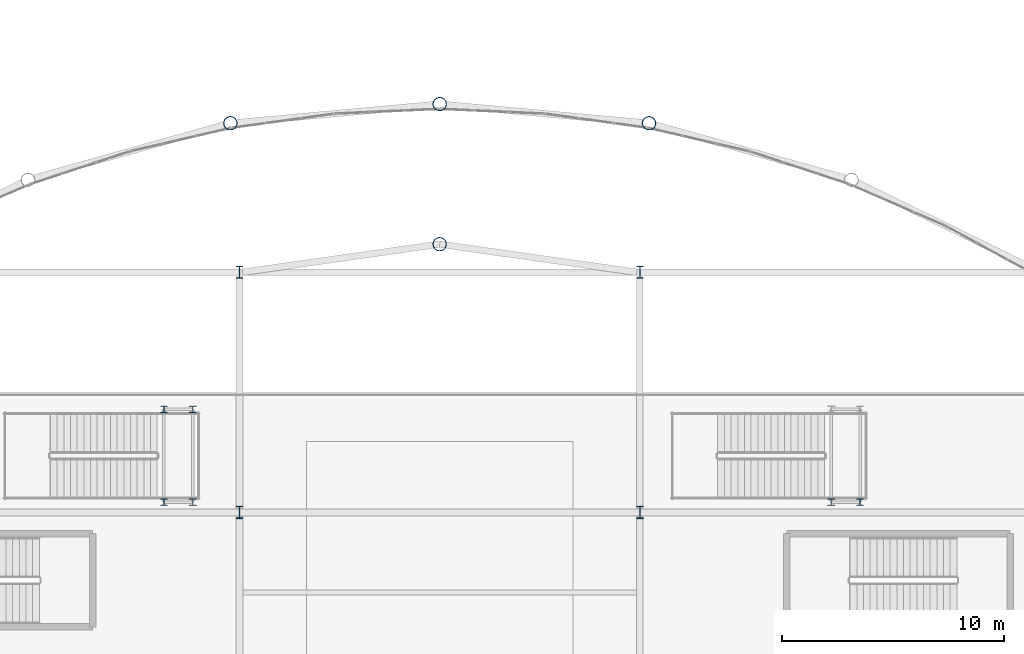
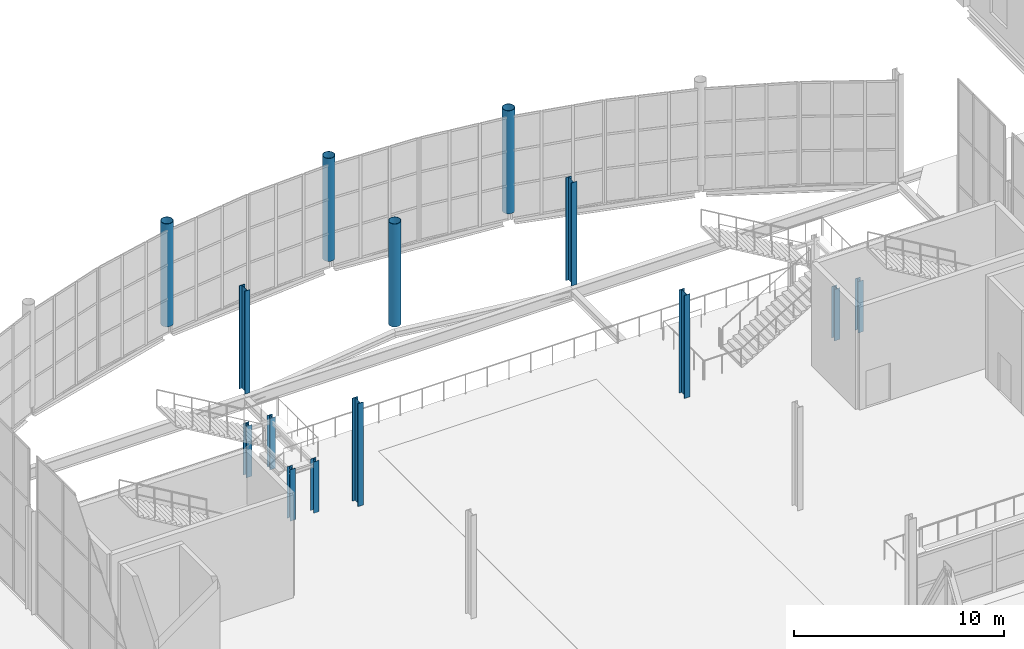
# One storey, part 12 of 191: 14 columns.
"""IFC4 building model written with IfcOpenShell, lengths in metres."""

import ifcopenshell
import ifcopenshell.guid

model = None  # the IFC model being written
_history = None  # IfcOwnerHistory: only IFC2X3 demands one
_inside = {}  # id of a spatial element -> (the spatial element, [elements in it])
_under = {}  # id of a project, library or spatial element -> (it, [spatial elements below it])
_declared = {}  # id of a project -> (the project, [libraries it declares])
_typed = {}  # id of a type object -> (the type object, [elements of that type])
_made_of = {}  # id of a material, layer set ... -> (it, [elements and type objects made of it])


def new_model(schema):
    """Start an empty IFC model of exactly this schema.

    Asked for "IFC4X3", IfcOpenShell would pick the latest addendum, in which some entities
    have other attributes; the version numbers below select the first issue.
    IFC2X3 requires an IfcOwnerHistory on every rooted entity: one is made here for all.
    """
    global model, _history
    if schema == "IFC4X3":
        model = ifcopenshell.file(schema_version=(4, 3, 0, 0))
    else:
        model = ifcopenshell.file(schema=schema)
    _inside.clear()
    _under.clear()
    _declared.clear()
    _typed.clear()
    _made_of.clear()
    _history = None
    if model.schema == "IFC2X3":
        org = make("IfcOrganization", Name="unknown")
        user = make(
            "IfcPersonAndOrganization",
            ThePerson=make("IfcPerson", FamilyName="unknown"),
            TheOrganization=org,
        )
        app = make(
            "IfcApplication",
            ApplicationDeveloper=org,
            Version="unknown",
            ApplicationFullName="unknown",
            ApplicationIdentifier="unknown",
        )
        _history = make(
            "IfcOwnerHistory",
            OwningUser=user,
            OwningApplication=app,
            ChangeAction="ADDED",
            CreationDate=0,
        )
    return model


def make(cls, **values):
    """One entity of the class cls with the attributes given. An attribute that is None is left unset."""
    return model.create_entity(
        cls, **{name: value for name, value in values.items() if value is not None}
    )


def rooted(cls, **values):
    """An entity with a GlobalId (a new one), such as an element, a storey or a relation."""
    return make(cls, GlobalId=ifcopenshell.guid.new(), OwnerHistory=_history, **values)


def si_unit(unit_type, name, prefix=None):
    """IfcSIUnit, for example si_unit("LENGTHUNIT", "METRE", prefix="MILLI")."""
    return make("IfcSIUnit", UnitType=unit_type, Prefix=prefix, Name=name)


def assignment(units):
    """IfcUnitAssignment: the units of a project."""
    return None if units is None else make("IfcUnitAssignment", Units=units)


def point(xyz):
    """IfcCartesianPoint."""
    return None if xyz is None else make("IfcCartesianPoint", Coordinates=xyz)


def direction(xyz):
    """IfcDirection."""
    return None if xyz is None else make("IfcDirection", DirectionRatios=xyz)


def frame(location, z_axis=None, x_axis=None):
    """IfcAxis2Placement3D, a coordinate frame: its origin and axes. An axis left out is left unset."""
    return make(
        "IfcAxis2Placement3D",
        Location=point(location),
        Axis=direction(z_axis),
        RefDirection=direction(x_axis),
    )


def frame_2d(location, x_axis=None):
    """IfcAxis2Placement2D, a coordinate frame in the plane: its origin and x axis."""
    return make(
        "IfcAxis2Placement2D", Location=point(location), RefDirection=direction(x_axis)
    )


def origin():
    """The frame at (0, 0, 0) with its axes left unset."""
    return frame((0.0, 0.0, 0.0))


def origin_2d():
    """The frame at (0, 0) in the plane with its x axis left unset."""
    return frame_2d((0.0, 0.0))


def place(relative_to, where):
    """IfcLocalPlacement: puts the frame where relative to a parent placement (None: the world)."""
    return make(
        "IfcLocalPlacement", PlacementRelTo=relative_to, RelativePlacement=where
    )


def context(
    kind, dimensions, precision=None, world=None, true_north=None, identifier=None
):
    """IfcGeometricRepresentationContext, for example the 3D "Model" context."""
    return make(
        "IfcGeometricRepresentationContext",
        ContextIdentifier=identifier,
        ContextType=kind,
        CoordinateSpaceDimension=dimensions,
        Precision=precision,
        WorldCoordinateSystem=world,
        TrueNorth=true_north,
    )


def subcontext(parent, identifier, kind, view, scale=None):
    """IfcGeometricRepresentationSubContext, for example "Body" below "Model"."""
    return make(
        "IfcGeometricRepresentationSubContext",
        ContextIdentifier=identifier,
        ContextType=kind,
        ParentContext=parent,
        TargetScale=scale,
        TargetView=view,
    )


def project(units=None, contexts=None):
    """IfcProject with its units and contexts."""
    return rooted(
        "IfcProject",
        Name="project",
        RepresentationContexts=contexts,
        UnitsInContext=assignment(units),
    )


def spatial(cls, under=None, at=None, **own):
    """A site, building, storey or space (cls), placed at a placement, below another one or the project."""
    s = rooted(cls, ObjectPlacement=at, **own)
    if under is not None:
        _under.setdefault(under.id(), (under, []))[1].append(s)
    return s


def profile(cls, at=None, kind="AREA", **sizes):
    """A parametric profile (cls). Its sizes go by their IFC names, for example OverallWidth=200.0."""
    return make(cls, ProfileType=kind, Position=at, **sizes)


def hollow_circle(**sizes):
    """IfcCircleHollowProfileDef."""
    return profile("IfcCircleHollowProfileDef", **sizes)


def i_section(**sizes):
    """IfcIShapeProfileDef."""
    return profile("IfcIShapeProfileDef", **sizes)


def extrude(swept, where, along, depth):
    """IfcExtrudedAreaSolid: the profile swept, set in the frame where, extruded along a direction by depth."""
    return make(
        "IfcExtrudedAreaSolid",
        SweptArea=swept,
        Position=where,
        ExtrudedDirection=direction(along),
        Depth=depth,
    )


def shape(context_of_items, identifier, shape_type, items):
    """IfcShapeRepresentation: the items that make up one representation, for example the "Body"."""
    return make(
        "IfcShapeRepresentation",
        ContextOfItems=context_of_items,
        RepresentationIdentifier=identifier,
        RepresentationType=shape_type,
        Items=items,
    )


def material(Name=None, Category=None):
    """IfcMaterial."""
    return make("IfcMaterial", Name=Name, Category=Category)


def material_profile(
    of_material, cross_section, Name=None, Category=None, Priority=None
):
    """IfcMaterialProfile: a cross section and its material."""
    return make(
        "IfcMaterialProfile",
        Name=Name,
        Material=of_material,
        Profile=cross_section,
        Priority=Priority,
        Category=Category,
    )


def profile_set(profiles, Name=None, composite=None):
    """IfcMaterialProfileSet."""
    return make(
        "IfcMaterialProfileSet",
        Name=Name,
        MaterialProfiles=profiles,
        CompositeProfile=composite,
    )


def made_of(thing, what):
    """Note that an element or type object is made of a material, layer set ...; save() writes the relation."""
    if what is not None:
        _made_of.setdefault(what.id(), (what, []))[1].append(thing)
    return thing


def type_object(cls, material=None, **own):
    """A type object (cls), such as IfcWallType, which elements share."""
    return made_of(rooted(cls, **own), material)


def element(
    cls,
    number,
    at=None,
    inside=None,
    cuts=None,
    type_object=None,
    material=None,
    context=None,
    identifier="Body",
    shape_type=None,
    held_by="IfcProductDefinitionShape",
    body=None,
    shapes=None,
    **own,
):
    """One element of the class cls, such as IfcWall. Its Tag is "e" and its number.

    at: its placement. inside: the storey or other place that contains it. cuts: it is an
    opening in that element (IfcRelVoidsElement). A single representation is given by context,
    identifier, shape_type and body (its items); several are given by shapes. held_by: the class
    of the entity that holds the representations. save() writes the other relations.
    """
    e = rooted(cls, Tag="e%d" % number, ObjectPlacement=at, **own)
    if body is not None:
        shapes = [shape(context, identifier, shape_type, body)]
    if shapes is not None:
        e.Representation = make(held_by, Representations=shapes)
    if inside is not None:
        _inside.setdefault(inside.id(), (inside, []))[1].append(e)
    if cuts is not None:
        rooted(
            "IfcRelVoidsElement", RelatingBuildingElement=cuts, RelatedOpeningElement=e
        )
    if type_object is not None:
        _typed.setdefault(type_object.id(), (type_object, []))[1].append(e)
    return made_of(e, material)


def aggregate(whole, parts):
    """IfcRelAggregates: a whole, such as a stair, and the parts it consists of."""
    return rooted("IfcRelAggregates", RelatingObject=whole, RelatedObjects=parts)


def save(model, path):
    """Write the relations noted so far, then the file.

    IfcRelAggregates (storeys below a building ...), IfcRelContainedInSpatialStructure (elements
    in a storey), IfcRelDefinesByType, IfcRelAssociatesMaterial and IfcRelDeclares: one each for
    every whole, place, type object, material and project.
    """
    for whole, parts in _under.values():
        aggregate(whole, parts)
    for where, things in _inside.values():
        rooted(
            "IfcRelContainedInSpatialStructure",
            RelatedElements=things,
            RelatingStructure=where,
        )
    for kind, things in _typed.values():
        rooted("IfcRelDefinesByType", RelatedObjects=things, RelatingType=kind)
    for what, things in _made_of.values():
        rooted("IfcRelAssociatesMaterial", RelatedObjects=things, RelatingMaterial=what)
    for by, libraries in _declared.values():
        rooted("IfcRelDeclares", RelatingContext=by, RelatedDefinitions=libraries)
    model.write(path)


model = new_model("IFC4")

# Units and contexts
model_context = context("Model", 3, precision=1e-05, world=origin(), true_north=direction((0.0, 1.0)))
body_context = subcontext(model_context, "Body", "Model", "MODEL_VIEW")
ifc_project = project(units=[si_unit("LENGTHUNIT", "METRE"), si_unit("AREAUNIT", "SQUARE_METRE"), si_unit("VOLUMEUNIT", "CUBIC_METRE"), si_unit("PLANEANGLEUNIT", "RADIAN"), si_unit("MASSUNIT", "GRAM", prefix="KILO")], contexts=[model_context])

# Site, building, storey
site_placement = place(None, origin())
site = spatial("IfcSite", under=ifc_project, at=site_placement, CompositionType="ELEMENT")
building_placement = place(site_placement, origin())
building = spatial("IfcBuilding", under=site, at=building_placement, Name="Tamarisk Ironworks Central Station", CompositionType="ELEMENT")
storey_placement = place(building_placement, frame((0.0, 0.0, 6.60009765625)))
storey = spatial("IfcBuildingStorey", under=building, at=storey_placement, Name="L01", CompositionType="ELEMENT", Elevation=6.60009765625)

# Columns
ifc_material_1 = material(Name="Structural steel S355J2", Category="steel")
ifc_material_profile_1 = material_profile(ifc_material_1, i_section(OverallWidth=0.300048828125, OverallDepth=0.550048828125, WebThickness=0.014892578125, FlangeThickness=0.029052734375, at=origin_2d()), Name="HEB 550")
ifc_profile_set_1 = profile_set([ifc_material_profile_1], Name="Structural steel S355J2")
column_type_1 = type_object("IfcColumnType", Name="COL-S06", PredefinedType="COLUMN", material=ifc_profile_set_1)
for number, where, z_axis, x_axis, name in (
    (1, (72.0, 100.800048828125, 0.0), (0.0, 0.0, 1.0), (1.0, 0.0, 0.0), "L01 column V2-09J"),
    (2, (72.0, 111.60009765625, 0.0), (0.0, 0.0, 1.0), (1.0, 0.0, 0.0), "L01 column V2-09L"),
    (3, (90.0, 100.800048828125, 0.0), (0.0, 0.0, 1.0), (1.0, 0.0, 0.0), "L01 column V2-12J"),
    (4, (90.0, 111.60009765625, 0.0), (0.0, 0.0, 1.0), (1.0, 0.0, 0.0), "L01 column V2-12L"),
):
    element("IfcColumn", number, at=place(storey_placement, frame(where, z_axis=z_axis, x_axis=x_axis)), inside=storey, type_object=column_type_1, Name=name, PredefinedType="COLUMN", context=body_context, shape_type="SweptSolid", body=[
        extrude(i_section(OverallWidth=0.300048828125, OverallDepth=0.550048828125, WebThickness=0.014892578125, FlangeThickness=0.029052734375, at=origin_2d()), origin(), (0.0, 0.0, 1.0), 6.0),
    ])
ifc_material_profile_2 = material_profile(ifc_material_1, i_section(OverallWidth=0.300048828125, OverallDepth=0.300048828125, WebThickness=0.010986328125, FlangeThickness=0.01904296875, at=origin_2d()), Name="HEB 300")
ifc_profile_set_2 = profile_set([ifc_material_profile_2], Name="Structural steel S355J2")
column_type_2 = type_object("IfcColumnType", Name="COL-S12", PredefinedType="COLUMN", material=ifc_profile_set_2)
for number, where, z_axis, x_axis, name in (
    (5, (68.60009765625, 101.264892578125, -0.02001953125), (0.0, 0.0, 1.0), (1.0, 0.0, 0.0), "ST-MZ1 landing support post Z1-1"),
    (6, (69.89990234375, 101.264892578125, -0.02001953125), (0.0, 0.0, 1.0), (1.0, 0.0, 0.0), "ST-MZ1 landing support post Z1-2"),
    (7, (68.60009765625, 105.43505859375, -0.02001953125), (0.0, 0.0, 1.0), (1.0, 0.0, 0.0), "ST-MZ1 landing support post Z1-3"),
    (8, (69.89990234375, 105.43505859375, -0.02001953125), (0.0, 0.0, 1.0), (1.0, 0.0, 0.0), "ST-MZ1 landing support post Z1-4"),
    (9, (98.60009765625, 101.264892578125, -0.02001953125), (0.0, 0.0, 1.0), (1.0, 0.0, 0.0), "ST-MZ2 landing support post Z1-1"),
    (10, (99.89990234375, 101.264892578125, -0.02001953125), (0.0, 0.0, 1.0), (1.0, 0.0, 0.0), "ST-MZ2 landing support post Z1-2"),
):
    element("IfcColumn", number, at=place(storey_placement, frame(where, z_axis=z_axis, x_axis=x_axis)), inside=storey, type_object=column_type_2, Name=name, PredefinedType="COLUMN", context=body_context, shape_type="SweptSolid", body=[
        extrude(i_section(OverallWidth=0.300048828125, OverallDepth=0.300048828125, WebThickness=0.010986328125, FlangeThickness=0.01904296875, at=origin_2d()), origin(), (0.0, 0.0, 1.0), 3.0),
    ])
ifc_material_2 = material(Name="Painted structural steel S355J2", Category="steel")
ifc_material_profile_3 = material_profile(ifc_material_2, hollow_circle(Radius=0.304931640625, WallThickness=0.02001953125, at=origin_2d()), Name="CHS 610x20")
ifc_profile_set_3 = profile_set([ifc_material_profile_3], Name="Painted structural steel S355J2")
column_type_3 = type_object("IfcColumnType", Name="COL-S15", PredefinedType="COLUMN", material=ifc_profile_set_3)
for number, where, z_axis, x_axis, name in (
    (11, (81.0, 112.860107421875, 0.0), (0.0, 0.0, 1.0), (1.0, 0.0, 0.0), "L01 column V2-NAC"),
    (12, (71.589111328125, 118.30029296875, 0.0), (0.0, 0.0, 1.0), (1.0, 0.0, 0.0), "L01 column V2-NN04"),
    (13, (81.0, 119.158935546875, 0.0), (0.0, 0.0, 1.0), (1.0, 0.0, 0.0), "L01 column V2-NN06"),
    (14, (90.410888671875, 118.30029296875, 0.0), (0.0, 0.0, 1.0), (1.0, 0.0, 0.0), "L01 column V2-NN08"),
):
    element("IfcColumn", number, at=place(storey_placement, frame(where, z_axis=z_axis, x_axis=x_axis)), inside=storey, type_object=column_type_3, Name=name, PredefinedType="COLUMN", context=body_context, shape_type="SweptSolid", body=[
        extrude(hollow_circle(Radius=0.304931640625, WallThickness=0.02001953125, at=origin_2d()), origin(), (0.0, 0.0, 1.0), 6.0),
    ])

save(model, "model.ifc")
